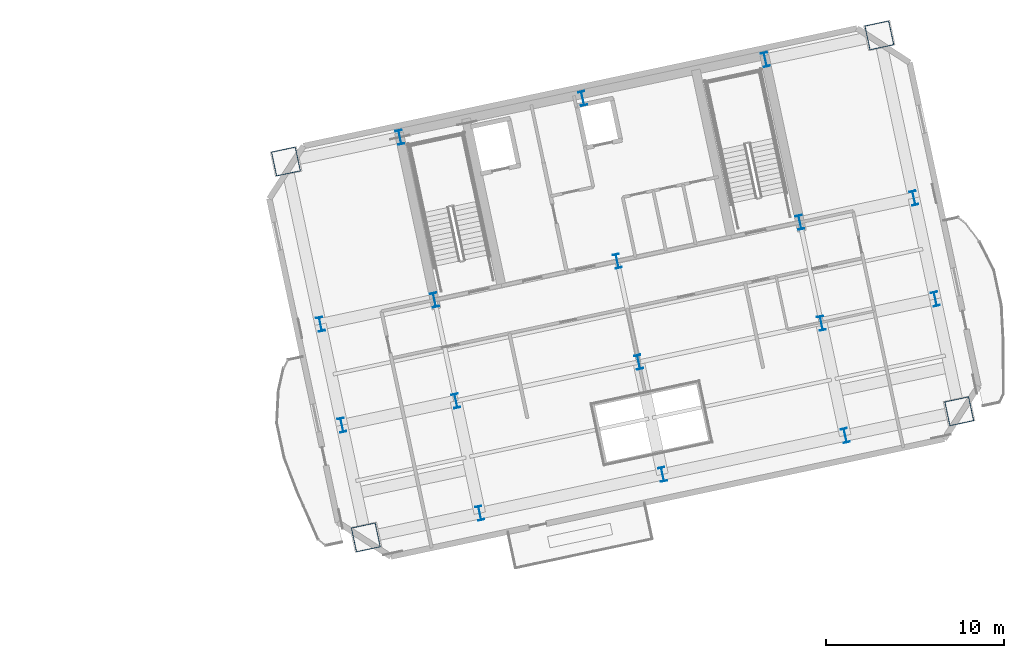
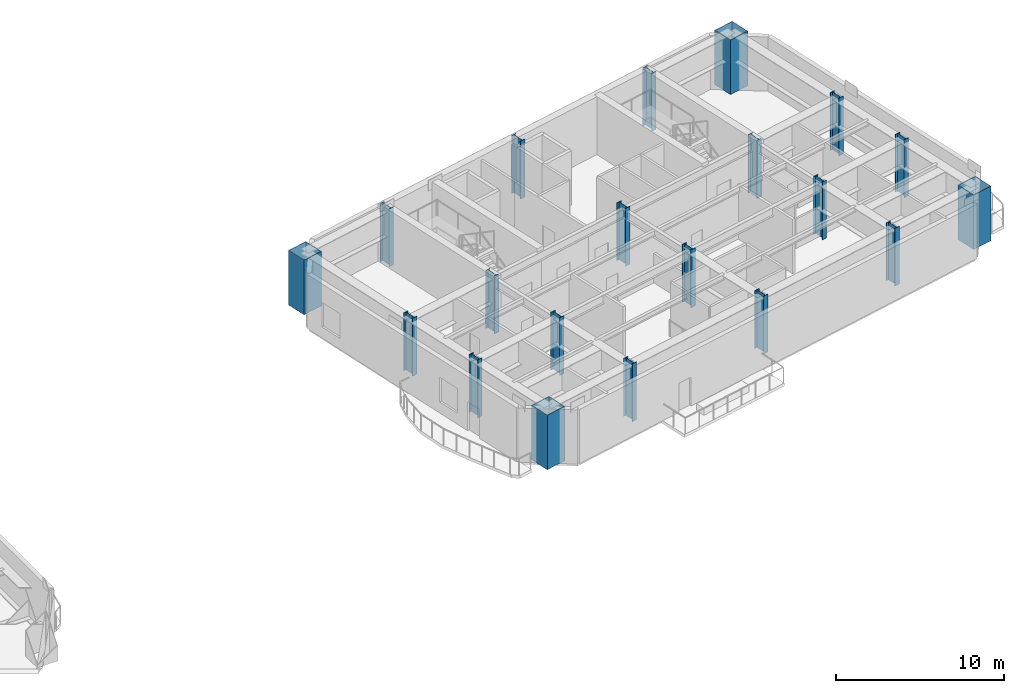
# One storey, part 2 of 15: 20 columns.
"""IFC4 building model written with IfcOpenShell, lengths in metres."""

from ifc_helpers import new_model, si_unit, direction, frame, origin, origin_2d, place, context, subcontext, project, spatial, hollow_rectangle, i_section, extrude, material, material_profile, profile_set, type_object, element, save


model = new_model("IFC4")

# Units and contexts
model_context = context("Model", 3, precision=1e-05, world=origin(), true_north=direction((0.0, 1.0)))
body_context = subcontext(model_context, "Body", "Model", "MODEL_VIEW")
ifc_project = project(units=[si_unit("LENGTHUNIT", "METRE"), si_unit("AREAUNIT", "SQUARE_METRE"), si_unit("VOLUMEUNIT", "CUBIC_METRE"), si_unit("PLANEANGLEUNIT", "RADIAN"), si_unit("MASSUNIT", "GRAM", prefix="KILO")], contexts=[model_context])

# Site, building, storey
site_placement = place(None, origin())
site = spatial("IfcSite", under=ifc_project, at=site_placement, CompositionType="ELEMENT")
building_placement = place(site_placement, origin())
building = spatial("IfcBuilding", under=site, at=building_placement, Name="Haevon Station Towers", CompositionType="ELEMENT")
storey_placement = place(building_placement, frame((0.0, 0.0, 129.60009765625)))
storey = spatial("IfcBuildingStorey", under=building, at=storey_placement, Name="L35", CompositionType="ELEMENT", Elevation=129.60009765625)

# Columns
ifc_material = material(Name="Steel S460", Category="steel")
ifc_material_profile_1 = material_profile(ifc_material, hollow_rectangle(XDim=1.39990234375, YDim=1.39990234375, WallThickness=0.035888671875, at=origin_2d()), Name="BOX-1400x1400x36")
ifc_profile_set_1 = profile_set([ifc_material_profile_1], Name="Steel S460")
column_type_1 = type_object("IfcColumnType", Name="COL-MC3", PredefinedType="COLUMN", material=ifc_profile_set_1)
for number, where, z_axis, x_axis, name in (
    (1, (94.892333984375, 24.098388671875, 0.0), (0.0, 0.0, 1.0), (0.978147600734, 0.207911690818, 0.0), "COL-T2-L35-01-01"),
    (2, (90.401611328125, 45.226318359375, 0.0), (0.0, 0.0, 1.0), (0.978147600734, 0.207911690818, 0.0), "COL-T2-L35-01-04"),
    (3, (128.247314453125, 31.18798828125, 0.0), (0.0, 0.0, 1.0), (0.978147600734, 0.207911690818, 0.0), "COL-T2-L35-05-01"),
    (4, (123.75634765625, 52.316162109375, 0.0), (0.0, 0.0, 1.0), (0.978147600734, 0.207911690818, 0.0), "COL-T2-L35-05-04"),
):
    element("IfcColumn", number, at=place(storey_placement, frame(where, z_axis=z_axis, x_axis=x_axis)), inside=storey, type_object=column_type_1, Name=name, PredefinedType="COLUMN", context=body_context, shape_type="SweptSolid", body=[
        extrude(hollow_rectangle(XDim=1.39990234375, YDim=1.39990234375, WallThickness=0.035888671875, at=origin_2d()), origin(), (0.0, 0.0, 1.0), 3.949951171875),
    ])
ifc_material_profile_2 = material_profile(ifc_material, i_section(OverallWidth=0.35009765625, OverallDepth=0.800048828125, WebThickness=0.01806640625, FlangeThickness=0.031982421875, at=origin_2d()), Name="H-800x350x18x32")
ifc_profile_set_2 = profile_set([ifc_material_profile_2], Name="Steel S460")
column_type_2 = type_object("IfcColumnType", Name="COL-TW2", PredefinedType="COLUMN", material=ifc_profile_set_2)
for number, where, z_axis, x_axis, name in (
    (5, (93.55126953125, 30.4072265625, 0.0), (0.0, 0.0, 1.0), (0.978147600734, 0.207911690818, 0.0), "COL-T2-L35-01-02"),
    (6, (92.345458984375, 36.08056640625, 0.0), (0.0, 0.0, 1.0), (0.978147600734, 0.207911690818, 0.0), "COL-T2-L35-01-03"),
    (7, (101.29931640625, 25.460205078125, 0.0), (0.0, 0.0, 1.0), (0.978147600734, 0.207911690818, 0.0), "COL-T2-L35-02-01"),
    (8, (99.958251953125, 31.76904296875, 0.0), (0.0, 0.0, 1.0), (0.978147600734, 0.207911690818, 0.0), "COL-T2-L35-02-02"),
    (9, (98.75244140625, 37.4423828125, 0.0), (0.0, 0.0, 1.0), (0.978147600734, 0.207911690818, 0.0), "COL-T2-L35-02-03"),
    (10, (96.808349609375, 46.588134765625, 0.0), (0.0, 0.0, 1.0), (0.978147600734, 0.207911690818, 0.0), "COL-T2-L35-02-04"),
    (11, (111.56982421875, 27.64306640625, 0.0), (0.0, 0.0, 1.0), (0.978147600734, 0.207911690818, 0.0), "COL-T2-L35-03-01"),
    (12, (110.228759765625, 33.9521484375, 0.0), (0.0, 0.0, 1.0), (0.978147600734, 0.207911690818, 0.0), "COL-T2-L35-03-02"),
    (13, (109.02294921875, 39.62548828125, 0.0), (0.0, 0.0, 1.0), (0.978147600734, 0.207911690818, 0.0), "COL-T2-L35-03-03"),
    (14, (107.078857421875, 48.771240234375, 0.0), (0.0, 0.0, 1.0), (0.978147600734, 0.207911690818, 0.0), "COL-T2-L35-03-04"),
    (15, (121.84033203125, 29.826171875, 0.0), (0.0, 0.0, 1.0), (0.978147600734, 0.207911690818, 0.0), "COL-T2-L35-04-01"),
    (16, (120.499267578125, 36.13525390625, 0.0), (0.0, 0.0, 1.0), (0.978147600734, 0.207911690818, 0.0), "COL-T2-L35-04-02"),
    (17, (119.29345703125, 41.80859375, 0.0), (0.0, 0.0, 1.0), (0.978147600734, 0.207911690818, 0.0), "COL-T2-L35-04-03"),
    (18, (117.349365234375, 50.954345703125, 0.0), (0.0, 0.0, 1.0), (0.978147600734, 0.207911690818, 0.0), "COL-T2-L35-04-04"),
    (19, (126.90625, 37.4970703125, 0.0), (0.0, 0.0, 1.0), (0.978147600734, 0.207911690818, 0.0), "COL-T2-L35-05-02"),
    (20, (125.7001953125, 43.17041015625, 0.0), (0.0, 0.0, 1.0), (0.978147600734, 0.207911690818, 0.0), "COL-T2-L35-05-03"),
):
    element("IfcColumn", number, at=place(storey_placement, frame(where, z_axis=z_axis, x_axis=x_axis)), inside=storey, type_object=column_type_2, Name=name, PredefinedType="COLUMN", context=body_context, shape_type="SweptSolid", body=[
        extrude(i_section(OverallWidth=0.35009765625, OverallDepth=0.800048828125, WebThickness=0.01806640625, FlangeThickness=0.031982421875, at=origin_2d()), origin(), (0.0, 0.0, 1.0), 4.199951171875),
    ])

save(model, "model.ifc")
